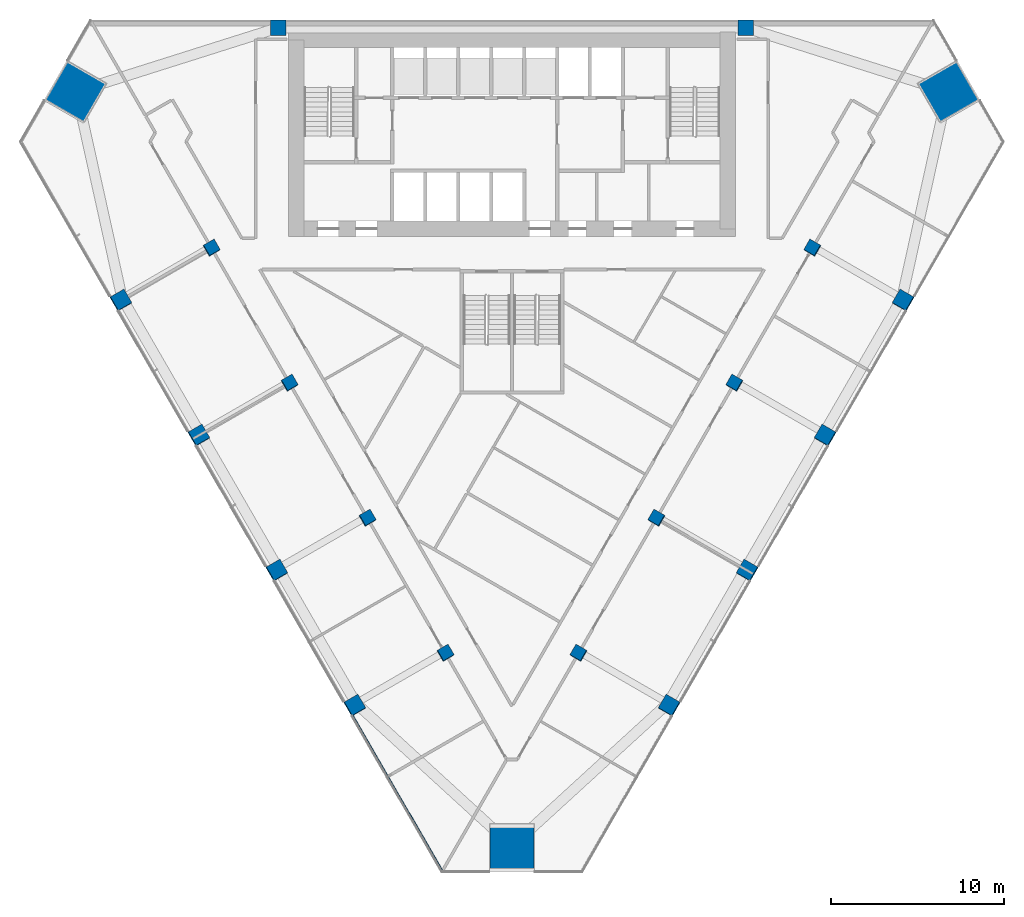
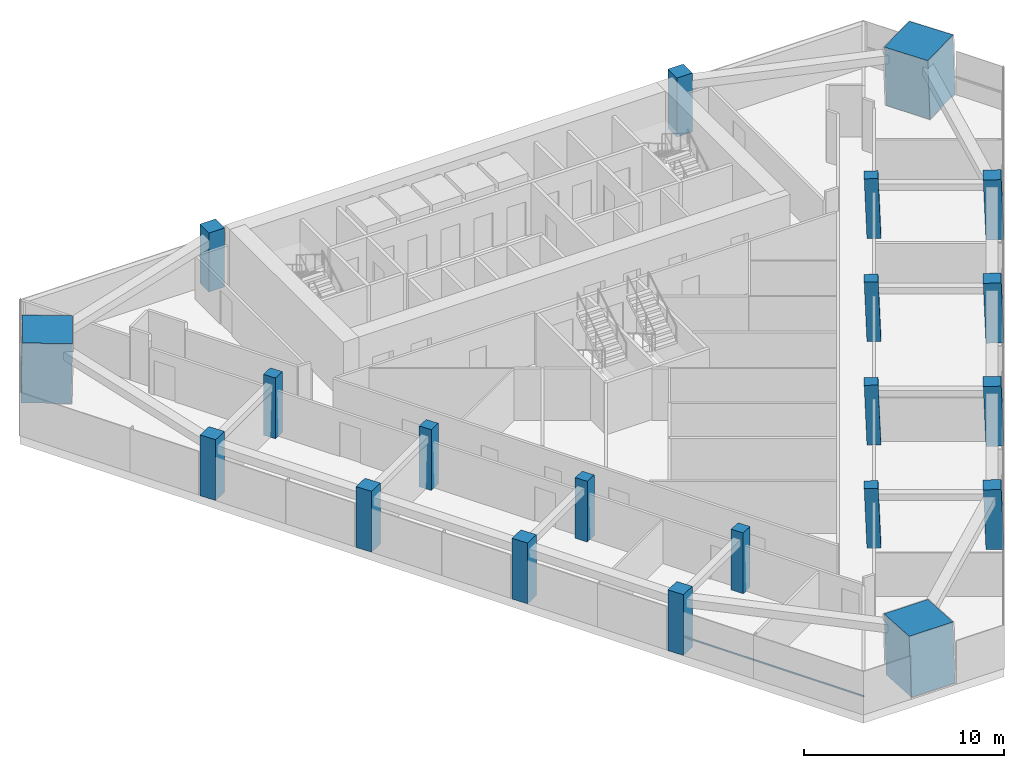
# One storey, part 1 of 14: 21 columns, 1 member, 1 element without a shape of its own.
"""IFC4 building model written with IfcOpenShell, lengths in metres."""

from ifc_helpers import new_model, si_unit, direction, frame, origin, origin_2d, place, context, subcontext, project, spatial, rectangle, extrude, material, layer, layer_set, material_profile, profile_set, type_object, element, aggregate, save


model = new_model("IFC4")

# Units and contexts
model_context = context("Model", 3, precision=1e-05, world=origin(), true_north=direction((0.0, 1.0)))
body_context = subcontext(model_context, "Body", "Model", "MODEL_VIEW")
ifc_project = project(units=[si_unit("LENGTHUNIT", "METRE"), si_unit("AREAUNIT", "SQUARE_METRE"), si_unit("VOLUMEUNIT", "CUBIC_METRE"), si_unit("PLANEANGLEUNIT", "RADIAN"), si_unit("MASSUNIT", "GRAM", prefix="KILO")], contexts=[model_context])

# Site, building, storey
site_placement = place(None, origin())
site = spatial("IfcSite", under=ifc_project, at=site_placement, CompositionType="ELEMENT")
building_placement = place(site_placement, origin())
building = spatial("IfcBuilding", under=site, at=building_placement, Name="Altiplano Prism Tower", CompositionType="ELEMENT")
storey_placement = place(building_placement, frame((0.0, 0.0, 115.199951171875)))
storey = spatial("IfcBuildingStorey", under=building, at=storey_placement, Name="L29", CompositionType="ELEMENT", Elevation=115.199951171875)

# Columns
ifc_material_1 = material(Name="Concrete C60/75", Category="concrete")
ifc_material_profile_1 = material_profile(ifc_material_1, rectangle(XDim=0.699951171875, YDim=0.699951171875, at=origin_2d()), Name="Inner column 700")
ifc_profile_set_1 = profile_set([ifc_material_profile_1], Name="Concrete C60/75")
column_type_1 = type_object("IfcColumnType", Name="Inner column 700", PredefinedType="COLUMN", material=ifc_profile_set_1)
for number, where, z_axis, x_axis, name in (
    (1, (67.65185546875, 91.8349609375, -0.021240234375), (0.022221406801, 0.038413224561, 0.999014831351), (-0.866024056676, -0.498523132273, 0.038432015909), "Inner column I11 L29"),
    (2, (72.15185546875, 84.040771484375, -0.021240234375), (0.022221406801, 0.038413224561, 0.999014831351), (-0.866024056676, -0.498523132273, 0.038432015909), "Inner column I12 L29"),
    (3, (76.65185546875, 76.246337890625, -0.021240234375), (0.02222134892, 0.038480872521, 0.999012229206), (-0.865639418776, -0.499186807044, 0.038482831667), "Inner column I13 L29"),
    (4, (81.15185546875, 68.4521484375, -0.021240234375), (0.02222134892, 0.038480872521, 0.999012229206), (-0.865639418776, -0.499186807044, 0.038482831667), "Inner column I14 L29"),
    (5, (88.84814453125, 68.4521484375, -0.021240234375), (-0.02222134892, 0.038480872521, 0.999012229206), (-0.500174577835, -0.86563950587, 0.022217955907), "Inner column I21 L29"),
    (6, (93.34814453125, 76.246337890625, -0.021240234375), (-0.02222134892, 0.038480872521, 0.999012229206), (-0.500174577835, -0.86563950587, 0.022217955907), "Inner column I22 L29"),
    (7, (97.84814453125, 84.040771484375, -0.021240234375), (-0.022221406801, 0.038413224561, 0.999014831351), (-0.499508300569, -0.866024890386, 0.022188891243), "Inner column I23 L29"),
    (8, (102.34814453125, 91.8349609375, -0.021240234375), (-0.022221406801, 0.038413224561, 0.999014831351), (-0.499508300569, -0.866024890386, 0.022188891243), "Inner column I24 L29"),
):
    element("IfcColumn", number, at=place(storey_placement, frame(where, z_axis=z_axis, x_axis=x_axis)), inside=storey, type_object=column_type_1, Name=name, PredefinedType="COLUMN", context=body_context, shape_type="SweptSolid", body=[
        extrude(rectangle(XDim=0.699951171875, YDim=0.699951171875, at=origin_2d()), origin(), (0.0, 0.0, 1.0), 3.603759765625),
    ])
ifc_material_2 = material(Name="Concrete C70/85", Category="concrete")
ifc_material_profile_2 = material_profile(ifc_material_2, rectangle(XDim=2.52001953125, YDim=2.52001953125, at=origin_2d()), Name="Mega column infill 2600")
ifc_profile_set_2 = profile_set([ifc_material_profile_2], Name="Concrete C70/85")
column_type_2 = type_object("IfcColumnType", Name="Mega column infill 2600", PredefinedType="COLUMN", material=ifc_profile_set_2)
column_1_placement = place(storey_placement, frame((59.7578125, 100.83642578125, 0.0), z_axis=(0.028401796786, 0.009286506348, 0.999553449666), x_axis=(-0.866201889843, 0.499294831899, 0.019973904779)))
element("IfcColumn", 9, at=column_1_placement, inside=storey, type_object=column_type_2, Name="Mega column M0 L29", PredefinedType="COLUMN", context=body_context, shape_type="SweptSolid", body=[
    extrude(rectangle(XDim=2.52001953125, YDim=2.52001953125, at=origin_2d()), origin(), (0.0, 0.0, 1.0), 3.601806640625),
])
column_2_placement = place(storey_placement, frame((85.0, 57.115966796875, 0.0), z_axis=(0.0, 0.058356907999, 0.998295783467), x_axis=(-1.0, 0.0, 0.0)))
element("IfcColumn", 10, at=column_2_placement, inside=storey, type_object=column_type_2, Name="Mega column M1 L29", PredefinedType="COLUMN", context=body_context, shape_type="SweptSolid", body=[
    extrude(rectangle(XDim=2.52001953125, YDim=2.52001953125, at=origin_2d()), origin(), (0.0, 0.0, 1.0), 3.606201171875),
])
column_3_placement = place(storey_placement, frame((110.2421875, 100.83642578125, 0.0), z_axis=(-0.028401796786, 0.009286506348, 0.999553449666), x_axis=(0.498888878312, -0.866380944014, 0.022224917221)))
element("IfcColumn", 11, at=column_3_placement, inside=storey, type_object=column_type_2, Name="Mega column M2 L29", PredefinedType="COLUMN", context=body_context, shape_type="SweptSolid", body=[
    extrude(rectangle(XDim=2.52001953125, YDim=2.52001953125, at=origin_2d()), origin(), (0.0, 0.0, 1.0), 3.601806640625),
])
ifc_material_profile_3 = material_profile(ifc_material_1, rectangle(XDim=0.89990234375, YDim=0.89990234375, at=origin_2d()), Name="Perimeter column 900")
ifc_profile_set_3 = profile_set([ifc_material_profile_3], Name="Concrete C60/75")
column_type_3 = type_object("IfcColumnType", Name="Perimeter column 900", PredefinedType="COLUMN", material=ifc_profile_set_3)
for number, where, z_axis, x_axis, name in (
    (12, (98.5, 104.550048828125, 0.0), (0.0, 0.0, 1.0), (1.0, 0.0, 0.0), "Perimeter column P01 L29"),
    (13, (71.5, 104.550048828125, 0.0), (0.0, 0.0, 1.0), (1.0, 0.0, 0.0), "Perimeter column P04 L29"),
):
    element("IfcColumn", number, at=place(storey_placement, frame(where, z_axis=z_axis, x_axis=x_axis)), inside=storey, type_object=column_type_3, Name=name, PredefinedType="COLUMN", context=body_context, shape_type="SweptSolid", body=[
        extrude(rectangle(XDim=0.89990234375, YDim=0.89990234375, at=origin_2d()), origin(), (0.0, 0.0, 1.0), 3.60009765625),
    ])
for number, where, z_axis, x_axis, name in (
    (14, (62.412353515625, 88.8095703125, -0.02734375), (0.022153634206, 0.038480930364, 0.999013730882), (-0.864982414942, -0.500326646225, 0.038453464312), "Perimeter column P11 L29"),
    (15, (66.912353515625, 81.015380859375, -0.02734375), (0.022153634206, 0.038480930364, 0.999013730882), (-0.864982414942, -0.500326646225, 0.038453464312), "Perimeter column P12 L29"),
    (16, (71.412353515625, 73.22119140625, -0.02734375), (0.022153634206, 0.038480930364, 0.999013730882), (-0.864979737564, -0.50033126583, 0.038453582882), "Perimeter column P13 L29"),
    (17, (75.912353515625, 65.427001953125, -0.02734375), (0.02215369191, 0.038413282303, 0.999016333038), (-0.865361996721, -0.499673729543, 0.03840284671), "Perimeter column P14 L29"),
    (18, (94.087646484375, 65.427001953125, -0.02734375), (-0.02215369191, 0.038413282303, 0.999016333038), (-0.500657396395, -0.86536153355, 0.022171776814), "Perimeter column P21 L29"),
    (19, (98.587646484375, 73.22119140625, -0.02734375), (-0.022153634206, 0.038480930364, 0.999013730882), (-0.501317534198, -0.86497852137, 0.022201069202), "Perimeter column P22 L29"),
    (20, (103.087646484375, 81.015380859375, -0.02734375), (-0.022153634206, 0.038480930364, 0.999013730882), (-0.501312914587, -0.864981193481, 0.022201274571), "Perimeter column P23 L29"),
    (21, (107.587646484375, 88.8095703125, -0.02734375), (-0.022153634206, 0.038480930364, 0.999013730882), (-0.501312914587, -0.864981193481, 0.022201274571), "Perimeter column P24 L29"),
):
    element("IfcColumn", number, at=place(storey_placement, frame(where, z_axis=z_axis, x_axis=x_axis)), inside=storey, type_object=column_type_3, Name=name, PredefinedType="COLUMN", context=body_context, shape_type="SweptSolid", body=[
        extrude(rectangle(XDim=0.89990234375, YDim=0.89990234375, at=origin_2d()), origin(), (0.0, 0.0, 1.0), 3.603759765625),
    ])

# Curtain wall, member
ifc_material_3 = material(Name="Aluminium and glass", Category="aluminium")
ifc_layer = layer(ifc_material_3, 0.303955078125)
ifc_layer_set = layer_set([ifc_layer], Name="Aluminium and glass")
curtain_wall_type = type_object("IfcCurtainWallType", Name="CW2 lounge-band unitised glazing", PredefinedType="NOTDEFINED", material=ifc_layer_set)
curtain_wall_placement = place(storey_placement, origin())
curtain_wall = element("IfcCurtainWall", 22, at=curtain_wall_placement, inside=storey, type_object=curtain_wall_type, Name="CW2 curtain wall south-west face L29", PredefinedType="NOTDEFINED")
ifc_material_4 = material(Name="Aluminium", Category="aluminium")
ifc_material_profile_4 = material_profile(ifc_material_4, rectangle(XDim=0.06005859375, YDim=0.080078125, at=origin_2d()), Name="CW2 transom 80 x 60")
ifc_profile_set_4 = profile_set([ifc_material_profile_4], Name="Aluminium")
member_type = type_object("IfcMemberType", Name="CW2 transom 80 x 60", PredefinedType="USERDEFINED", material=ifc_profile_set_4)
member_placement = place(storey_placement, frame((75.812744140625, 64.849609375, 1.10009765625), z_axis=(0.500001149715, -0.866024739995, 0.0), x_axis=(0.866024739995, 0.500001149715, 0.0)))
member = element("IfcMember", 23, at=member_placement, type_object=member_type, Name="CW2 transom", ObjectType="TRANSOM", PredefinedType="USERDEFINED", context=body_context, shape_type="SweptSolid", body=[
    extrude(rectangle(XDim=0.06005859375, YDim=0.080078125, at=origin_2d()), origin(), (0.0, 0.0, 1.0), 10.388671875),
])
aggregate(curtain_wall, [member])

save(model, "model.ifc")
